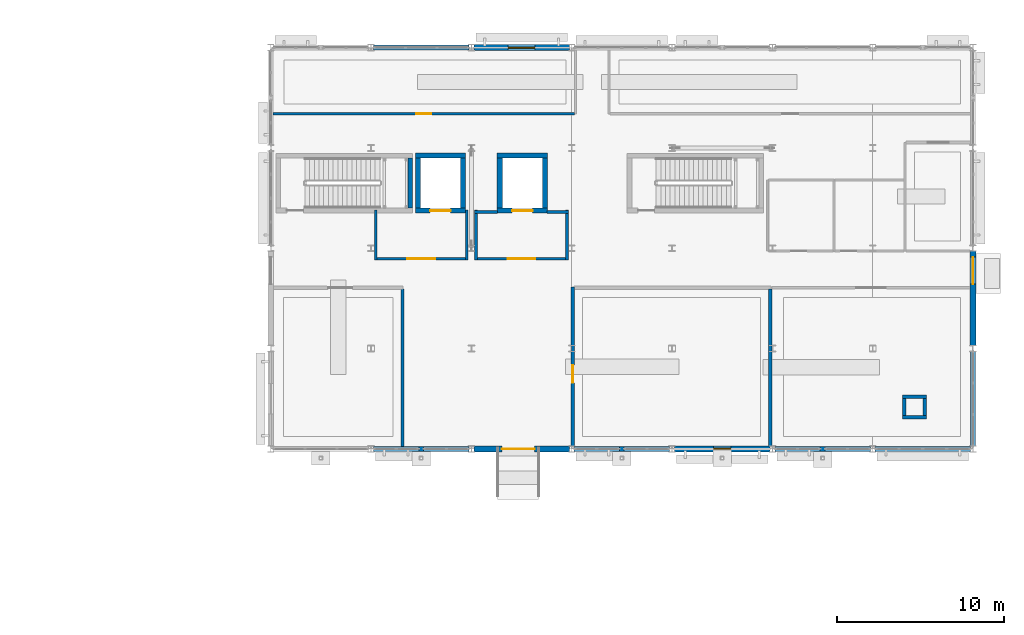
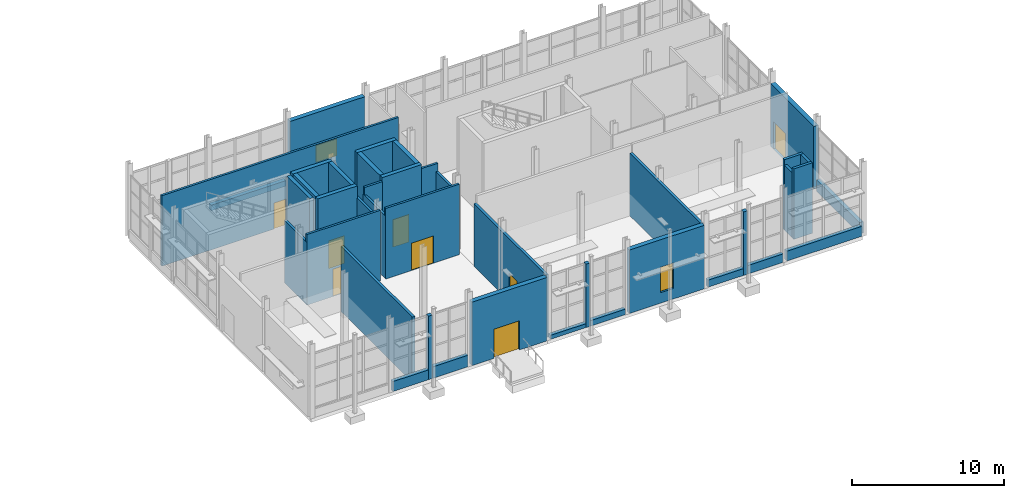
# One storey, part 103 of 120: 41 walls, 8 doors, 2 windows, 10 openings.
"""IFC4 building model written with IfcOpenShell, lengths in metres."""

import ifcopenshell
import ifcopenshell.guid

model = None  # the IFC model being written
_history = None  # IfcOwnerHistory: only IFC2X3 demands one
_inside = {}  # id of a spatial element -> (the spatial element, [elements in it])
_under = {}  # id of a project, library or spatial element -> (it, [spatial elements below it])
_declared = {}  # id of a project -> (the project, [libraries it declares])
_typed = {}  # id of a type object -> (the type object, [elements of that type])
_made_of = {}  # id of a material, layer set ... -> (it, [elements and type objects made of it])


def new_model(schema):
    """Start an empty IFC model of exactly this schema.

    Asked for "IFC4X3", IfcOpenShell would pick the latest addendum, in which some entities
    have other attributes; the version numbers below select the first issue.
    IFC2X3 requires an IfcOwnerHistory on every rooted entity: one is made here for all.
    """
    global model, _history
    if schema == "IFC4X3":
        model = ifcopenshell.file(schema_version=(4, 3, 0, 0))
    else:
        model = ifcopenshell.file(schema=schema)
    _inside.clear()
    _under.clear()
    _declared.clear()
    _typed.clear()
    _made_of.clear()
    _history = None
    if model.schema == "IFC2X3":
        org = make("IfcOrganization", Name="unknown")
        user = make(
            "IfcPersonAndOrganization",
            ThePerson=make("IfcPerson", FamilyName="unknown"),
            TheOrganization=org,
        )
        app = make(
            "IfcApplication",
            ApplicationDeveloper=org,
            Version="unknown",
            ApplicationFullName="unknown",
            ApplicationIdentifier="unknown",
        )
        _history = make(
            "IfcOwnerHistory",
            OwningUser=user,
            OwningApplication=app,
            ChangeAction="ADDED",
            CreationDate=0,
        )
    return model


def make(cls, **values):
    """One entity of the class cls with the attributes given. An attribute that is None is left unset."""
    return model.create_entity(
        cls, **{name: value for name, value in values.items() if value is not None}
    )


def rooted(cls, **values):
    """An entity with a GlobalId (a new one), such as an element, a storey or a relation."""
    return make(cls, GlobalId=ifcopenshell.guid.new(), OwnerHistory=_history, **values)


def si_unit(unit_type, name, prefix=None):
    """IfcSIUnit, for example si_unit("LENGTHUNIT", "METRE", prefix="MILLI")."""
    return make("IfcSIUnit", UnitType=unit_type, Prefix=prefix, Name=name)


def assignment(units):
    """IfcUnitAssignment: the units of a project."""
    return None if units is None else make("IfcUnitAssignment", Units=units)


def point(xyz):
    """IfcCartesianPoint."""
    return None if xyz is None else make("IfcCartesianPoint", Coordinates=xyz)


def direction(xyz):
    """IfcDirection."""
    return None if xyz is None else make("IfcDirection", DirectionRatios=xyz)


def frame(location, z_axis=None, x_axis=None):
    """IfcAxis2Placement3D, a coordinate frame: its origin and axes. An axis left out is left unset."""
    return make(
        "IfcAxis2Placement3D",
        Location=point(location),
        Axis=direction(z_axis),
        RefDirection=direction(x_axis),
    )


def frame_2d(location, x_axis=None):
    """IfcAxis2Placement2D, a coordinate frame in the plane: its origin and x axis."""
    return make(
        "IfcAxis2Placement2D", Location=point(location), RefDirection=direction(x_axis)
    )


def origin():
    """The frame at (0, 0, 0) with its axes left unset."""
    return frame((0.0, 0.0, 0.0))


def place(relative_to, where):
    """IfcLocalPlacement: puts the frame where relative to a parent placement (None: the world)."""
    return make(
        "IfcLocalPlacement", PlacementRelTo=relative_to, RelativePlacement=where
    )


def context(
    kind, dimensions, precision=None, world=None, true_north=None, identifier=None
):
    """IfcGeometricRepresentationContext, for example the 3D "Model" context."""
    return make(
        "IfcGeometricRepresentationContext",
        ContextIdentifier=identifier,
        ContextType=kind,
        CoordinateSpaceDimension=dimensions,
        Precision=precision,
        WorldCoordinateSystem=world,
        TrueNorth=true_north,
    )


def subcontext(parent, identifier, kind, view, scale=None):
    """IfcGeometricRepresentationSubContext, for example "Body" below "Model"."""
    return make(
        "IfcGeometricRepresentationSubContext",
        ContextIdentifier=identifier,
        ContextType=kind,
        ParentContext=parent,
        TargetScale=scale,
        TargetView=view,
    )


def project(units=None, contexts=None):
    """IfcProject with its units and contexts."""
    return rooted(
        "IfcProject",
        Name="project",
        RepresentationContexts=contexts,
        UnitsInContext=assignment(units),
    )


def spatial(cls, under=None, at=None, **own):
    """A site, building, storey or space (cls), placed at a placement, below another one or the project."""
    s = rooted(cls, ObjectPlacement=at, **own)
    if under is not None:
        _under.setdefault(under.id(), (under, []))[1].append(s)
    return s


def profile(cls, at=None, kind="AREA", **sizes):
    """A parametric profile (cls). Its sizes go by their IFC names, for example OverallWidth=200.0."""
    return make(cls, ProfileType=kind, Position=at, **sizes)


def rectangle(**sizes):
    """IfcRectangleProfileDef."""
    return profile("IfcRectangleProfileDef", **sizes)


def extrude(swept, where, along, depth):
    """IfcExtrudedAreaSolid: the profile swept, set in the frame where, extruded along a direction by depth."""
    return make(
        "IfcExtrudedAreaSolid",
        SweptArea=swept,
        Position=where,
        ExtrudedDirection=direction(along),
        Depth=depth,
    )


def shape(context_of_items, identifier, shape_type, items):
    """IfcShapeRepresentation: the items that make up one representation, for example the "Body"."""
    return make(
        "IfcShapeRepresentation",
        ContextOfItems=context_of_items,
        RepresentationIdentifier=identifier,
        RepresentationType=shape_type,
        Items=items,
    )


def material(Name=None, Category=None):
    """IfcMaterial."""
    return make("IfcMaterial", Name=Name, Category=Category)


def layer(
    of_material, thickness, ventilated=None, Name=None, Category=None, Priority=None
):
    """IfcMaterialLayer: one layer of a wall or slab, of a material (None: an air gap)."""
    return make(
        "IfcMaterialLayer",
        Material=of_material,
        LayerThickness=thickness,
        IsVentilated=ventilated,
        Name=Name,
        Category=Category,
        Priority=Priority,
    )


def layer_set(layers, Name=None):
    """IfcMaterialLayerSet."""
    return make("IfcMaterialLayerSet", MaterialLayers=layers, LayerSetName=Name)


def made_of(thing, what):
    """Note that an element or type object is made of a material, layer set ...; save() writes the relation."""
    if what is not None:
        _made_of.setdefault(what.id(), (what, []))[1].append(thing)
    return thing


def type_object(cls, material=None, **own):
    """A type object (cls), such as IfcWallType, which elements share."""
    return made_of(rooted(cls, **own), material)


def element(
    cls,
    number,
    at=None,
    inside=None,
    cuts=None,
    type_object=None,
    material=None,
    context=None,
    identifier="Body",
    shape_type=None,
    held_by="IfcProductDefinitionShape",
    body=None,
    shapes=None,
    **own,
):
    """One element of the class cls, such as IfcWall. Its Tag is "e" and its number.

    at: its placement. inside: the storey or other place that contains it. cuts: it is an
    opening in that element (IfcRelVoidsElement). A single representation is given by context,
    identifier, shape_type and body (its items); several are given by shapes. held_by: the class
    of the entity that holds the representations. save() writes the other relations.
    """
    e = rooted(cls, Tag="e%d" % number, ObjectPlacement=at, **own)
    if body is not None:
        shapes = [shape(context, identifier, shape_type, body)]
    if shapes is not None:
        e.Representation = make(held_by, Representations=shapes)
    if inside is not None:
        _inside.setdefault(inside.id(), (inside, []))[1].append(e)
    if cuts is not None:
        rooted(
            "IfcRelVoidsElement", RelatingBuildingElement=cuts, RelatedOpeningElement=e
        )
    if type_object is not None:
        _typed.setdefault(type_object.id(), (type_object, []))[1].append(e)
    return made_of(e, material)


def fill(opening, filler):
    """IfcRelFillsElement: the door or window that sits in an opening."""
    return rooted(
        "IfcRelFillsElement",
        RelatingOpeningElement=opening,
        RelatedBuildingElement=filler,
    )


def aggregate(whole, parts):
    """IfcRelAggregates: a whole, such as a stair, and the parts it consists of."""
    return rooted("IfcRelAggregates", RelatingObject=whole, RelatedObjects=parts)


def save(model, path):
    """Write the relations noted so far, then the file.

    IfcRelAggregates (storeys below a building ...), IfcRelContainedInSpatialStructure (elements
    in a storey), IfcRelDefinesByType, IfcRelAssociatesMaterial and IfcRelDeclares: one each for
    every whole, place, type object, material and project.
    """
    for whole, parts in _under.values():
        aggregate(whole, parts)
    for where, things in _inside.values():
        rooted(
            "IfcRelContainedInSpatialStructure",
            RelatedElements=things,
            RelatingStructure=where,
        )
    for kind, things in _typed.values():
        rooted("IfcRelDefinesByType", RelatedObjects=things, RelatingType=kind)
    for what, things in _made_of.values():
        rooted("IfcRelAssociatesMaterial", RelatedObjects=things, RelatingMaterial=what)
    for by, libraries in _declared.values():
        rooted("IfcRelDeclares", RelatingContext=by, RelatedDefinitions=libraries)
    model.write(path)


model = new_model("IFC4")

# Units and contexts
model_context = context("Model", 3, precision=1e-05, world=origin(), true_north=direction((0.0, 1.0)))
body_context = subcontext(model_context, "Body", "Model", "MODEL_VIEW")
ifc_project = project(units=[si_unit("LENGTHUNIT", "METRE"), si_unit("AREAUNIT", "SQUARE_METRE"), si_unit("VOLUMEUNIT", "CUBIC_METRE"), si_unit("PLANEANGLEUNIT", "RADIAN"), si_unit("MASSUNIT", "GRAM", prefix="KILO")], contexts=[model_context])

# Site, building, storey
site_placement = place(None, origin())
site = spatial("IfcSite", under=ifc_project, at=site_placement, CompositionType="ELEMENT")
building_placement = place(site_placement, origin())
building = spatial("IfcBuilding", under=site, at=building_placement, Name="Siltcreek Boulevard Central Fire Station", CompositionType="ELEMENT")
storey_placement = place(building_placement, origin())
storey = spatial("IfcBuildingStorey", under=building, at=storey_placement, Name="L01", CompositionType="ELEMENT", Elevation=0.0)

# Wall
ifc_material_1 = material(Name="Concrete C40/50", Category="concrete")
ifc_layer_1 = layer(ifc_material_1, 0.280029296875, Name="Concrete C40/50")
ifc_layer_set_1 = layer_set([ifc_layer_1], Name="Concrete C40/50")
wall_type_1 = type_object("IfcWallType", Name="CW_SHEAR280", PredefinedType="SHEAR", material=ifc_layer_set_1)
wall_1_placement = place(storey_placement, frame((132.5400390625, 102.60009765625, 0.0), z_axis=(0.0, 0.0, 1.0), x_axis=(0.0, 1.0, 0.0)))
element("IfcWall", 1, at=wall_1_placement, inside=storey, type_object=wall_type_1, Name="L01 ST-V5A stair enclosure east shear wall", PredefinedType="SHEAR", context=body_context, shape_type="SweptSolid", body=[
    extrude(rectangle(XDim=3.0, YDim=0.280029296875, at=frame_2d((1.5, 0.0))), origin(), (0.0, 0.0, 1.0), 6.0),
])

# Wall, opening, door
ifc_layer_2 = layer(ifc_material_1, 0.304931640625, Name="Concrete C40/50")
ifc_layer_set_2 = layer_set([ifc_layer_2], Name="Concrete C40/50")
wall_type_2 = type_object("IfcWallType", Name="CW_SHEAR305", PredefinedType="SHEAR", material=ifc_layer_set_2)
wall_2_placement = place(storey_placement, frame((132.844970703125, 102.447509765625, 0.0), z_axis=(0.0, 0.0, 1.0), x_axis=(1.0, 0.0, 0.0)))
wall_2 = element("IfcWall", 2, at=wall_2_placement, inside=storey, type_object=wall_type_2, Name="L01 EL-01 elevator shaft south shear wall", PredefinedType="SHEAR", context=body_context, shape_type="SweptSolid", body=[
    extrude(rectangle(XDim=3.010009765625, YDim=0.304931640625, at=frame_2d((1.5048828125, 0.0))), origin(), (0.0, 0.0, 1.0), 6.0),
])
opening_1_placement = place(wall_2_placement, frame((0.89501953125, 0.0, 0.0)))
opening_1 = element("IfcOpeningElement", 3, at=opening_1_placement, cuts=wall_2, Name="Opening LD02", PredefinedType="OPENING", context=body_context, shape_type="SweptSolid", body=[
    extrude(rectangle(XDim=1.219970703125, YDim=2.219970703125, at=frame_2d((0.60986328125, 1.10986328125))), frame((0.0, 0.162353515625, 0.0), z_axis=(0.0, -1.0, 0.0), x_axis=(1.0, 0.0, 0.0)), (0.0, 0.0, 1.0), 0.324951171875),
])
ifc_material_2 = material(Name="Stainless steel firefighting sliding elevator landing door", Category="steel")
door_type_1 = type_object("IfcDoorType", Name="DR_LD_122X222", OperationType="NOTDEFINED", PredefinedType="DOOR", material=ifc_material_2)
door_1_placement = place(opening_1_placement, origin())
door_1 = element("IfcDoor", 4, at=door_1_placement, inside=storey, type_object=door_type_1, Name="L01 EL-01 elevator sliding landing door LD-02", OperationType="SLIDING_TO_LEFT", OverallHeight=2.219970703125, OverallWidth=1.219970703125, PredefinedType="DOOR", context=body_context, shape_type="SweptSolid", body=[
    extrude(rectangle(XDim=1.219970703125, YDim=2.219970703125, at=frame_2d((0.60986328125, 1.10986328125))), frame((0.0, 0.02490234375, 0.0), z_axis=(0.0, -1.0, 0.0), x_axis=(1.0, 0.0, 0.0)), (0.0, 0.0, 1.0), 0.050048828125),
])
fill(opening_1, door_1)

# Walls
wall_3_placement = place(storey_placement, frame((135.85498046875, 105.75244140625, 0.0), z_axis=(0.0, 0.0, 1.0), x_axis=(-1.0, 0.0, 0.0)))
element("IfcWall", 5, at=wall_3_placement, inside=storey, type_object=wall_type_2, Name="L01 EL-01 elevator shaft north shear wall", PredefinedType="SHEAR", context=body_context, shape_type="SweptSolid", body=[
    extrude(rectangle(XDim=3.010009765625, YDim=0.304931640625, at=frame_2d((1.5048828125, 0.0))), origin(), (0.0, 0.0, 1.0), 6.0),
])
for number, where, z_axis, x_axis, name in (
    (6, (132.99755859375, 105.60009765625, 0.0), (0.0, 0.0, 1.0), (0.0, -1.0, 0.0), "L01 EL-01 elevator shaft west shear wall"),
    (7, (135.702392578125, 102.60009765625, 0.0), (0.0, 0.0, 1.0), (0.0, 1.0, 0.0), "L01 EL-01 elevator shaft east shear wall"),
):
    element("IfcWall", number, at=place(storey_placement, frame(where, z_axis=z_axis, x_axis=x_axis)), inside=storey, type_object=wall_type_2, Name=name, PredefinedType="SHEAR", context=body_context, shape_type="SweptSolid", body=[
        extrude(rectangle(XDim=3.0, YDim=0.304931640625, at=frame_2d((1.5, 0.0))), origin(), (0.0, 0.0, 1.0), 6.0),
    ])

# Wall, opening, door
wall_4_placement = place(storey_placement, frame((137.7451171875, 102.447509765625, 0.0), z_axis=(0.0, 0.0, 1.0), x_axis=(1.0, 0.0, 0.0)))
wall_4 = element("IfcWall", 8, at=wall_4_placement, inside=storey, type_object=wall_type_2, Name="L01 EL-02 elevator shaft south shear wall", PredefinedType="SHEAR", context=body_context, shape_type="SweptSolid", body=[
    extrude(rectangle(XDim=3.009765625, YDim=0.304931640625, at=frame_2d((1.5048828125, 0.0))), origin(), (0.0, 0.0, 1.0), 6.0),
])
opening_2_placement = place(wall_4_placement, frame((0.89501953125, 0.0, 0.0)))
opening_2 = element("IfcOpeningElement", 9, at=opening_2_placement, cuts=wall_4, Name="Opening LD02", PredefinedType="OPENING", context=body_context, shape_type="SweptSolid", body=[
    extrude(rectangle(XDim=1.219970703125, YDim=2.219970703125, at=frame_2d((0.60986328125, 1.10986328125))), frame((0.0, 0.162353515625, 0.0), z_axis=(0.0, -1.0, 0.0), x_axis=(1.0, 0.0, 0.0)), (0.0, 0.0, 1.0), 0.324951171875),
])
door_2_placement = place(opening_2_placement, origin())
door_2 = element("IfcDoor", 10, at=door_2_placement, inside=storey, type_object=door_type_1, Name="L01 EL-02 elevator sliding landing door LD-08", OperationType="SLIDING_TO_LEFT", OverallHeight=2.219970703125, OverallWidth=1.219970703125, PredefinedType="DOOR", context=body_context, shape_type="SweptSolid", body=[
    extrude(rectangle(XDim=1.219970703125, YDim=2.219970703125, at=frame_2d((0.60986328125, 1.10986328125))), frame((0.0, 0.02490234375, 0.0), z_axis=(0.0, -1.0, 0.0), x_axis=(1.0, 0.0, 0.0)), (0.0, 0.0, 1.0), 0.050048828125),
])
fill(opening_2, door_2)

# Walls
wall_5_placement = place(storey_placement, frame((140.7548828125, 105.75244140625, 0.0), z_axis=(0.0, 0.0, 1.0), x_axis=(-1.0, 0.0, 0.0)))
element("IfcWall", 11, at=wall_5_placement, inside=storey, type_object=wall_type_2, Name="L01 EL-02 elevator shaft north shear wall", PredefinedType="SHEAR", context=body_context, shape_type="SweptSolid", body=[
    extrude(rectangle(XDim=3.009765625, YDim=0.304931640625, at=frame_2d((1.5048828125, 0.0))), origin(), (0.0, 0.0, 1.0), 6.0),
])
for number, where, z_axis, x_axis, name in (
    (12, (137.8974609375, 105.60009765625, 0.0), (0.0, 0.0, 1.0), (0.0, -1.0, 0.0), "L01 EL-02 elevator shaft west shear wall"),
    (13, (140.6025390625, 102.60009765625, 0.0), (0.0, 0.0, 1.0), (0.0, 1.0, 0.0), "L01 EL-02 elevator shaft east shear wall"),
):
    element("IfcWall", number, at=place(storey_placement, frame(where, z_axis=z_axis, x_axis=x_axis)), inside=storey, type_object=wall_type_2, Name=name, PredefinedType="SHEAR", context=body_context, shape_type="SweptSolid", body=[
        extrude(rectangle(XDim=3.0, YDim=0.304931640625, at=frame_2d((1.5, 0.0))), origin(), (0.0, 0.0, 1.0), 6.0),
    ])

# Wall, opening, door
ifc_material_3 = material(Name="Terracotta brick rainscreen on steel stud", Category="masonry")
ifc_layer_3 = layer(ifc_material_3, 0.35009765625, Name="Terracotta brick rainscreen on steel stud")
ifc_layer_set_3 = layer_set([ifc_layer_3], Name="Terracotta brick rainscreen on steel stud")
wall_type_3 = type_object("IfcWallType", Name="EW_BRICK350", PredefinedType="STANDARD", material=ifc_layer_set_3)
wall_6_placement = place(storey_placement, frame((136.344970703125, 88.199951171875, 0.0), z_axis=(0.0, 0.0, 1.0), x_axis=(1.0, 0.0, 0.0)))
wall_6 = element("IfcWall", 14, at=wall_6_placement, inside=storey, type_object=wall_type_3, Name="L01 V5 exterior insulated rainscreen wall WL-EXT-L01-0297", PredefinedType="STANDARD", context=body_context, shape_type="SweptSolid", body=[
    extrude(rectangle(XDim=5.7099609375, YDim=0.35009765625, at=frame_2d((2.85498046875, 0.0))), origin(), (0.0, 0.0, 1.0), 5.113037109375),
])
opening_3_placement = place(wall_6_placement, frame((1.679931640625, 0.0, 0.0)))
opening_3 = element("IfcOpeningElement", 15, at=opening_3_placement, cuts=wall_6, Name="Opening ED-126", PredefinedType="OPENING", context=body_context, shape_type="SweptSolid", body=[
    extrude(rectangle(XDim=1.949951171875, YDim=2.35009765625, at=frame_2d((0.97509765625, 1.175048828125))), frame((0.0, 0.18505859375, 0.0), z_axis=(0.0, -1.0, 0.0), x_axis=(1.0, 0.0, 0.0)), (0.0, 0.0, 1.0), 0.3701171875),
])
ifc_material_4 = material(Name="Hollow metal insulated exit discharge pair")
door_type_2 = type_object("IfcDoorType", Name="DR_EXT_195X235", OperationType="NOTDEFINED", PredefinedType="DOOR", material=ifc_material_4)
door_3_placement = place(opening_3_placement, frame((1.949951171875, 0.0, 0.0), z_axis=(0.0, 0.0, 1.0), x_axis=(-1.0, 0.0, 0.0)))
door_3 = element("IfcDoor", 16, at=door_3_placement, inside=storey, type_object=door_type_2, Name="Ground level pedestrian final exit door ED-126", OperationType="DOUBLE_DOOR_SINGLE_SWING", OverallHeight=2.35009765625, OverallWidth=1.949951171875, PredefinedType="DOOR", context=body_context, shape_type="SweptSolid", body=[
    extrude(rectangle(XDim=1.949951171875, YDim=2.35009765625, at=frame_2d((0.97509765625, 1.175048828125))), frame((0.0, 0.02490234375, 0.0), z_axis=(0.0, -1.0, 0.0), x_axis=(1.0, 0.0, 0.0)), (0.0, 0.0, 1.0), 0.050048828125),
])
fill(opening_3, door_3)

# Wall, opening, window
wall_7_placement = place(storey_placement, frame((148.344970703125, 88.199951171875, 0.0), z_axis=(0.0, 0.0, 1.0), x_axis=(1.0, 0.0, 0.0)))
wall_7 = element("IfcWall", 17, at=wall_7_placement, inside=storey, type_object=wall_type_3, Name="L01 V5 exterior insulated rainscreen wall WL-EXT-L01-0301", PredefinedType="STANDARD", context=body_context, shape_type="SweptSolid", body=[
    extrude(rectangle(XDim=5.7099609375, YDim=0.35009765625, at=frame_2d((2.85498046875, 0.0))), origin(), (0.0, 0.0, 1.0), 5.113037109375),
])
opening_4_placement = place(wall_7_placement, frame((2.344970703125, 0.0, 0.85009765625)))
opening_4 = element("IfcOpeningElement", 18, at=opening_4_placement, cuts=wall_7, Name="Opening WN36", PredefinedType="OPENING", context=body_context, shape_type="SweptSolid", body=[
    extrude(rectangle(XDim=1.02001953125, YDim=2.050048828125, at=frame_2d((0.510009765625, 1.02490234375))), frame((0.0, 0.18505859375, 0.0), z_axis=(0.0, -1.0, 0.0), x_axis=(1.0, 0.0, 0.0)), (0.0, 0.0, 1.0), 0.3701171875),
])
ifc_material_5 = material(Name="Thermally broken aluminum frame with low-E insulated glass", Category="aluminium")
window_type_1 = type_object("IfcWindowType", Name="WN_VT_102X205", PartitioningType="SINGLE_PANEL", PredefinedType="WINDOW", material=ifc_material_5)
window_1_placement = place(opening_4_placement, origin())
window_1 = element("IfcWindow", 19, at=window_1_placement, inside=storey, type_object=window_type_1, Name="L01 V5 exterior window WN-0147", OverallHeight=2.050048828125, OverallWidth=1.02001953125, PartitioningType="SINGLE_PANEL", PredefinedType="WINDOW", context=body_context, shape_type="SweptSolid", body=[
    extrude(rectangle(XDim=1.02001953125, YDim=2.050048828125, at=frame_2d((0.510009765625, 1.02490234375))), frame((0.0, 0.030029296875, 0.0), z_axis=(0.0, -1.0, 0.0), x_axis=(1.0, 0.0, 0.0)), (0.0, 0.0, 1.0), 0.06005859375),
])
fill(opening_4, window_1)

wall_8_placement = place(storey_placement, frame((142.054931640625, 112.199951171875, 0.0), z_axis=(0.0, 0.0, 1.0), x_axis=(-1.0, 0.0, 0.0)))
wall_8 = element("IfcWall", 20, at=wall_8_placement, inside=storey, type_object=wall_type_3, Name="L01 V5 exterior insulated rainscreen wall WL-EXT-L01-0310", PredefinedType="STANDARD", context=body_context, shape_type="SweptSolid", body=[
    extrude(rectangle(XDim=5.7099609375, YDim=0.35009765625, at=frame_2d((2.85498046875, 0.0))), origin(), (0.0, 0.0, 1.0), 5.113037109375),
])
opening_5_placement = place(wall_8_placement, frame((2.054931640625, 0.0, 1.0)))
opening_5 = element("IfcOpeningElement", 21, at=opening_5_placement, cuts=wall_8, Name="Opening WN07", PredefinedType="OPENING", context=body_context, shape_type="SweptSolid", body=[
    extrude(rectangle(XDim=1.60009765625, YDim=1.360107421875, at=frame_2d((0.800048828125, 0.68017578125))), frame((0.0, 0.18505859375, 0.0), z_axis=(0.0, -1.0, 0.0), x_axis=(1.0, 0.0, 0.0)), (0.0, 0.0, 1.0), 0.3701171875),
])
window_type_2 = type_object("IfcWindowType", Name="WN_PB_160X136", PartitioningType="SINGLE_PANEL", PredefinedType="WINDOW", material=ifc_material_5)
window_2_placement = place(opening_5_placement, origin())
window_2 = element("IfcWindow", 22, at=window_2_placement, inside=storey, type_object=window_type_2, Name="L01 V5 exterior window WN-0148", OverallHeight=1.360107421875, OverallWidth=1.60009765625, PartitioningType="SINGLE_PANEL", PredefinedType="WINDOW", context=body_context, shape_type="SweptSolid", body=[
    extrude(rectangle(XDim=1.60009765625, YDim=1.360107421875, at=frame_2d((0.800048828125, 0.68017578125))), frame((0.0, 0.030029296875, 0.0), z_axis=(0.0, -1.0, 0.0), x_axis=(1.0, 0.0, 0.0)), (0.0, 0.0, 1.0), 0.06005859375),
])
fill(opening_5, window_2)

# Wall, opening, door
wall_9_placement = place(storey_placement, frame((166.199951171875, 94.344970703125, 0.0), z_axis=(0.0, 0.0, 1.0), x_axis=(0.0, 1.0, 0.0)))
wall_9 = element("IfcWall", 23, at=wall_9_placement, inside=storey, type_object=wall_type_3, Name="L01 V5 exterior insulated rainscreen wall WL-EXT-L01-0326", PredefinedType="STANDARD", context=body_context, shape_type="SweptSolid", body=[
    extrude(rectangle(XDim=5.7099609375, YDim=0.35009765625, at=frame_2d((2.85498046875, 0.0))), origin(), (0.0, 0.0, 1.0), 5.0439453125),
])
opening_6_placement = place(wall_9_placement, frame((3.703857421875, 0.0, 0.0)))
opening_6 = element("IfcOpeningElement", 24, at=opening_6_placement, cuts=wall_9, Name="Opening ED-128", PredefinedType="OPENING", context=body_context, shape_type="SweptSolid", body=[
    extrude(rectangle(XDim=1.6201171875, YDim=2.199951171875, at=frame_2d((0.81005859375, 1.10009765625))), frame((0.0, 0.18505859375, 0.0), z_axis=(0.0, -1.0, 0.0), x_axis=(1.0, 0.0, 0.0)), (0.0, 0.0, 1.0), 0.3701171875),
])
ifc_material_6 = material(Name="Thermally broken glazed terrace pair")
door_type_3 = type_object("IfcDoorType", Name="DR_TER_162X220", OperationType="NOTDEFINED", PredefinedType="DOOR", material=ifc_material_6)
door_4_placement = place(opening_6_placement, frame((1.6201171875, 0.0, 0.0), z_axis=(0.0, 0.0, 1.0), x_axis=(-1.0, 0.0, 0.0)))
door_4 = element("IfcDoor", 25, at=door_4_placement, inside=storey, type_object=door_type_3, Name="Ground level pedestrian final exit door ED-128", OperationType="SINGLE_SWING_LEFT", OverallHeight=2.199951171875, OverallWidth=1.6201171875, PredefinedType="DOOR", context=body_context, shape_type="SweptSolid", body=[
    extrude(rectangle(XDim=1.6201171875, YDim=2.199951171875, at=frame_2d((0.81005859375, 1.10009765625))), frame((0.0, 0.02490234375, 0.0), z_axis=(0.0, -1.0, 0.0), x_axis=(1.0, 0.0, 0.0)), (0.0, 0.0, 1.0), 0.050048828125),
])
fill(opening_6, door_4)

# Walls
ifc_material_7 = material(Name="White ribbed aluminum spandrel wall", Category="aluminium")
ifc_layer_4 = layer(ifc_material_7, 0.2900390625, Name="White ribbed aluminum spandrel wall")
ifc_layer_set_4 = layer_set([ifc_layer_4], Name="White ribbed aluminum spandrel wall")
wall_type_4 = type_object("IfcWallType", Name="EW_METAL290", PredefinedType="STANDARD", material=ifc_layer_set_4)
wall_10_placement = place(storey_placement, frame((133.06005859375, 88.199951171875, 0.0), z_axis=(0.0, 0.0, 1.0), x_axis=(1.0, 0.0, 0.0)))
element("IfcWall", 26, at=wall_10_placement, inside=storey, type_object=wall_type_4, Name="L01 V5 facade pier 0294", PredefinedType="STANDARD", context=body_context, shape_type="SweptSolid", body=[
    extrude(rectangle(XDim=0.280029296875, YDim=0.2900390625, at=frame_2d((0.14013671875, 0.0))), origin(), (0.0, 0.0, 1.0), 5.113037109375),
])
wall_11_placement = place(storey_placement, frame((130.344970703125, 88.199951171875, 0.0), z_axis=(0.0, 0.0, 1.0), x_axis=(1.0, 0.0, 0.0)))
element("IfcWall", 27, at=wall_11_placement, inside=storey, type_object=wall_type_4, Name="L01 V5 curtain-wall sill spandrel 0295", PredefinedType="STANDARD", context=body_context, shape_type="SweptSolid", body=[
    extrude(rectangle(XDim=2.715087890625, YDim=0.2900390625, at=frame_2d((1.357421875, 0.0))), origin(), (0.0, 0.0, 1.0), 0.800048828125),
])
wall_12_placement = place(storey_placement, frame((133.340087890625, 88.199951171875, 0.0), z_axis=(0.0, 0.0, 1.0), x_axis=(1.0, 0.0, 0.0)))
element("IfcWall", 28, at=wall_12_placement, inside=storey, type_object=wall_type_4, Name="L01 V5 curtain-wall sill spandrel 0296", PredefinedType="STANDARD", context=body_context, shape_type="SweptSolid", body=[
    extrude(rectangle(XDim=2.71484375, YDim=0.2900390625, at=frame_2d((1.357421875, 0.0))), origin(), (0.0, 0.0, 1.0), 0.919921875),
])
wall_13_placement = place(storey_placement, frame((145.06005859375, 88.199951171875, 0.0), z_axis=(0.0, 0.0, 1.0), x_axis=(1.0, 0.0, 0.0)))
element("IfcWall", 29, at=wall_13_placement, inside=storey, type_object=wall_type_4, Name="L01 V5 facade pier 0298", PredefinedType="STANDARD", context=body_context, shape_type="SweptSolid", body=[
    extrude(rectangle(XDim=0.280029296875, YDim=0.2900390625, at=frame_2d((0.14013671875, 0.0))), origin(), (0.0, 0.0, 1.0), 5.113037109375),
])
wall_14_placement = place(storey_placement, frame((142.344970703125, 88.199951171875, 0.0), z_axis=(0.0, 0.0, 1.0), x_axis=(1.0, 0.0, 0.0)))
element("IfcWall", 30, at=wall_14_placement, inside=storey, type_object=wall_type_4, Name="L01 V5 curtain-wall sill spandrel 0299", PredefinedType="STANDARD", context=body_context, shape_type="SweptSolid", body=[
    extrude(rectangle(XDim=2.715087890625, YDim=0.2900390625, at=frame_2d((1.357421875, 0.0))), origin(), (0.0, 0.0, 1.0), 0.320068359375),
])
wall_15_placement = place(storey_placement, frame((145.340087890625, 88.199951171875, 0.0), z_axis=(0.0, 0.0, 1.0), x_axis=(1.0, 0.0, 0.0)))
element("IfcWall", 31, at=wall_15_placement, inside=storey, type_object=wall_type_4, Name="L01 V5 curtain-wall sill spandrel 0300", PredefinedType="STANDARD", context=body_context, shape_type="SweptSolid", body=[
    extrude(rectangle(XDim=2.71484375, YDim=0.2900390625, at=frame_2d((1.357421875, 0.0))), origin(), (0.0, 0.0, 1.0), 0.43994140625),
])
wall_16_placement = place(storey_placement, frame((157.06005859375, 88.199951171875, 0.0), z_axis=(0.0, 0.0, 1.0), x_axis=(1.0, 0.0, 0.0)))
element("IfcWall", 32, at=wall_16_placement, inside=storey, type_object=wall_type_4, Name="L01 V5 facade pier 0302", PredefinedType="STANDARD", context=body_context, shape_type="SweptSolid", body=[
    extrude(rectangle(XDim=0.280029296875, YDim=0.2900390625, at=frame_2d((0.14013671875, 0.0))), origin(), (0.0, 0.0, 1.0), 5.113037109375),
])
wall_17_placement = place(storey_placement, frame((154.344970703125, 88.199951171875, 0.0), z_axis=(0.0, 0.0, 1.0), x_axis=(1.0, 0.0, 0.0)))
element("IfcWall", 33, at=wall_17_placement, inside=storey, type_object=wall_type_4, Name="L01 V5 curtain-wall sill spandrel 0303", PredefinedType="STANDARD", context=body_context, shape_type="SweptSolid", body=[
    extrude(rectangle(XDim=2.715087890625, YDim=0.2900390625, at=frame_2d((1.357421875, 0.0))), origin(), (0.0, 0.0, 1.0), 0.56005859375),
])
wall_18_placement = place(storey_placement, frame((157.340087890625, 88.199951171875, 0.0), z_axis=(0.0, 0.0, 1.0), x_axis=(1.0, 0.0, 0.0)))
element("IfcWall", 34, at=wall_18_placement, inside=storey, type_object=wall_type_4, Name="L01 V5 curtain-wall sill spandrel 0304", PredefinedType="STANDARD", context=body_context, shape_type="SweptSolid", body=[
    extrude(rectangle(XDim=2.71484375, YDim=0.2900390625, at=frame_2d((1.357421875, 0.0))), origin(), (0.0, 0.0, 1.0), 0.679931640625),
])
wall_19_placement = place(storey_placement, frame((160.344970703125, 88.199951171875, 0.0), z_axis=(0.0, 0.0, 1.0), x_axis=(1.0, 0.0, 0.0)))
element("IfcWall", 35, at=wall_19_placement, inside=storey, type_object=wall_type_4, Name="L01 V5 curtain-wall sill spandrel 0305", PredefinedType="STANDARD", context=body_context, shape_type="SweptSolid", body=[
    extrude(rectangle(XDim=5.7099609375, YDim=0.2900390625, at=frame_2d((2.85498046875, 0.0))), origin(), (0.0, 0.0, 1.0), 0.800048828125),
])
wall_20_placement = place(storey_placement, frame((136.054931640625, 112.199951171875, 0.0), z_axis=(0.0, 0.0, 1.0), x_axis=(-1.0, 0.0, 0.0)))
element("IfcWall", 36, at=wall_20_placement, inside=storey, type_object=wall_type_4, Name="L01 V5 curtain-wall sill spandrel 0309", PredefinedType="STANDARD", context=body_context, shape_type="SweptSolid", body=[
    extrude(rectangle(XDim=5.7099609375, YDim=0.2900390625, at=frame_2d((2.85498046875, 0.0))), origin(), (0.0, 0.0, 1.0), 0.43994140625),
])
wall_21_placement = place(storey_placement, frame((166.199951171875, 88.344970703125, 0.0), z_axis=(0.0, 0.0, 1.0), x_axis=(0.0, 1.0, 0.0)))
element("IfcWall", 37, at=wall_21_placement, inside=storey, type_object=wall_type_4, Name="L01 V5 curtain-wall sill spandrel 0325", PredefinedType="STANDARD", context=body_context, shape_type="SweptSolid", body=[
    extrude(rectangle(XDim=5.7099609375, YDim=0.2900390625, at=frame_2d((2.85498046875, 0.0))), origin(), (0.0, 0.0, 1.0), 0.919921875),
])
ifc_material_8 = material(Name="Fire-rated concrete masonry and gypsum barrier", Category="masonry")
ifc_layer_5 = layer(ifc_material_8, 0.199951171875, Name="Fire-rated concrete masonry and gypsum barrier")
ifc_layer_set_5 = layer_set([ifc_layer_5], Name="Fire-rated concrete masonry and gypsum barrier")
wall_type_5 = type_object("IfcWallType", Name="IW_FIRE200", PredefinedType="PARTITIONING", material=ifc_layer_set_5)
wall_22_placement = place(storey_placement, frame((161.985107421875, 90.0849609375, 0.0), z_axis=(0.0, 0.0, 1.0), x_axis=(1.0, 0.0, 0.0)))
element("IfcWall", 38, at=wall_22_placement, inside=storey, type_object=wall_type_5, Name="L01 enclosed MEP service riser wall 017-S", PredefinedType="PARTITIONING", context=body_context, shape_type="SweptSolid", body=[
    extrude(rectangle(XDim=1.429931640625, YDim=0.199951171875, at=frame_2d((0.71484375, 0.0))), origin(), (0.0, 0.0, 1.0), 5.679931640625),
])
wall_23_placement = place(storey_placement, frame((163.31494140625, 90.18505859375, 0.0), z_axis=(0.0, 0.0, 1.0), x_axis=(0.0, 1.0, 0.0)))
element("IfcWall", 39, at=wall_23_placement, inside=storey, type_object=wall_type_5, Name="L01 enclosed MEP service riser wall 017-E", PredefinedType="PARTITIONING", context=body_context, shape_type="SweptSolid", body=[
    extrude(rectangle(XDim=1.030029296875, YDim=0.199951171875, at=frame_2d((0.51513671875, 0.0))), origin(), (0.0, 0.0, 1.0), 5.679931640625),
])
wall_24_placement = place(storey_placement, frame((163.4150390625, 91.31494140625, 0.0), z_axis=(0.0, 0.0, 1.0), x_axis=(-1.0, 0.0, 0.0)))
element("IfcWall", 40, at=wall_24_placement, inside=storey, type_object=wall_type_5, Name="L01 enclosed MEP service riser wall 017-N", PredefinedType="PARTITIONING", context=body_context, shape_type="SweptSolid", body=[
    extrude(rectangle(XDim=1.429931640625, YDim=0.199951171875, at=frame_2d((0.71484375, 0.0))), origin(), (0.0, 0.0, 1.0), 5.679931640625),
])
wall_25_placement = place(storey_placement, frame((162.0849609375, 91.215087890625, 0.0), z_axis=(0.0, 0.0, 1.0), x_axis=(0.0, -1.0, 0.0)))
element("IfcWall", 41, at=wall_25_placement, inside=storey, type_object=wall_type_5, Name="L01 enclosed MEP service riser wall 017-W", PredefinedType="PARTITIONING", context=body_context, shape_type="SweptSolid", body=[
    extrude(rectangle(XDim=1.030029296875, YDim=0.199951171875, at=frame_2d((0.51513671875, 0.0))), origin(), (0.0, 0.0, 1.0), 5.2490234375),
])
wall_26_placement = place(storey_placement, frame((132.080078125, 97.760009765625, 0.0), z_axis=(0.0, 0.0, 1.0), x_axis=(0.0, -1.0, 0.0)))
element("IfcWall", 42, at=wall_26_placement, inside=storey, type_object=wall_type_5, Name="L01 Fire Command Centre partition 0075", PredefinedType="PARTITIONING", context=body_context, shape_type="SweptSolid", body=[
    extrude(rectangle(XDim=9.4150390625, YDim=0.199951171875, at=frame_2d((4.70751953125, 0.0))), origin(), (0.0, 0.0, 1.0), 5.2490234375),
])

# Wall, opening, door
wall_27_placement = place(storey_placement, frame((142.27001953125, 88.375, 0.0), z_axis=(0.0, 0.0, 1.0), x_axis=(0.0, 1.0, 0.0)))
wall_27 = element("IfcWall", 43, at=wall_27_placement, inside=storey, type_object=wall_type_5, Name="L01 Fire Prevention Bureau Office partition 0076", PredefinedType="PARTITIONING", context=body_context, shape_type="SweptSolid", body=[
    extrude(rectangle(XDim=9.5048828125, YDim=0.199951171875, at=frame_2d((4.75244140625, 0.0))), origin(), (0.0, 0.0, 1.0), 5.0439453125),
])
opening_7_placement = place(wall_27_placement, frame((3.77099609375, 0.0, 0.0)))
opening_7 = element("IfcOpeningElement", 44, at=opening_7_placement, cuts=wall_27, Name="Opening ID12", PredefinedType="OPENING", context=body_context, shape_type="SweptSolid", body=[
    extrude(rectangle(XDim=1.06005859375, YDim=2.25, at=frame_2d((0.530029296875, 1.125))), frame((0.0, 0.10986328125, 0.0), z_axis=(0.0, -1.0, 0.0), x_axis=(1.0, 0.0, 0.0)), (0.0, 0.0, 1.0), 0.219970703125),
])
ifc_material_9 = material(Name="Hardened steel radio vault security door", Category="steel")
door_type_4 = type_object("IfcDoorType", Name="DR_VLT_106X225", OperationType="NOTDEFINED", PredefinedType="DOOR", material=ifc_material_9)
door_5_placement = place(opening_7_placement, frame((1.06005859375, 0.0, 0.0), z_axis=(0.0, 0.0, 1.0), x_axis=(-1.0, 0.0, 0.0)))
door_5 = element("IfcDoor", 45, at=door_5_placement, inside=storey, type_object=door_type_4, Name="L01 Fire Prevention Bureau Office door ID-0035", OperationType="SINGLE_SWING_RIGHT", OverallHeight=2.25, OverallWidth=1.06005859375, PredefinedType="DOOR", context=body_context, shape_type="SweptSolid", body=[
    extrude(rectangle(XDim=1.06005859375, YDim=2.25, at=frame_2d((0.530029296875, 1.125))), frame((0.0, 0.02490234375, 0.0), z_axis=(0.0, -1.0, 0.0), x_axis=(1.0, 0.0, 0.0)), (0.0, 0.0, 1.0), 0.050048828125),
])
fill(opening_7, door_5)

# Walls
wall_28_placement = place(storey_placement, frame((154.080078125, 97.760009765625, 0.0), z_axis=(0.0, 0.0, 1.0), x_axis=(0.0, -1.0, 0.0)))
element("IfcWall", 46, at=wall_28_placement, inside=storey, type_object=wall_type_5, Name="L01 Fire Prevention Bureau Office partition 0078", PredefinedType="PARTITIONING", context=body_context, shape_type="SweptSolid", body=[
    extrude(rectangle(XDim=9.385009765625, YDim=0.199951171875, at=frame_2d((4.6923828125, 0.0))), origin(), (0.0, 0.0, 1.0), 5.0439453125),
])
ifc_material_10 = material(Name="Acoustic smoke-barrier steel stud gypsum wall", Category="steel")
ifc_layer_6 = layer(ifc_material_10, 0.1650390625, Name="Acoustic smoke-barrier steel stud gypsum wall")
ifc_layer_set_6 = layer_set([ifc_layer_6], Name="Acoustic smoke-barrier steel stud gypsum wall")
wall_type_6 = type_object("IfcWallType", Name="IW_SMK165", PredefinedType="PARTITIONING", material=ifc_layer_set_6)
for number, where, z_axis, x_axis, name in (
    (47, (130.47998046875, 99.5, 0.0), (0.0, 0.0, 1.0), (0.0, 1.0, 0.0), "L01 EL-01 elevator lobby W smoke partition"),
    (48, (135.919921875, 102.487548828125, 0.0), (0.0, 0.0, 1.0), (0.0, -1.0, 0.0), "L01 EL-01 elevator lobby E smoke partition"),
):
    element("IfcWall", number, at=place(storey_placement, frame(where, z_axis=z_axis, x_axis=x_axis)), inside=storey, type_object=wall_type_6, Name=name, PredefinedType="PARTITIONING", context=body_context, shape_type="SweptSolid", body=[
        extrude(rectangle(XDim=2.987548828125, YDim=0.1650390625, at=frame_2d((1.49365234375, 0.0))), origin(), (0.0, 0.0, 1.0), 5.0439453125),
    ])

# Wall, opening, door
wall_29_placement = place(storey_placement, frame((130.39990234375, 99.580078125, 0.0), z_axis=(0.0, 0.0, 1.0), x_axis=(1.0, 0.0, 0.0)))
wall_29 = element("IfcWall", 49, at=wall_29_placement, inside=storey, type_object=wall_type_6, Name="L01 EL-01 elevator lobby south smoke partition", PredefinedType="PARTITIONING", context=body_context, shape_type="SweptSolid", body=[
    extrude(rectangle(XDim=5.60009765625, YDim=0.1650390625, at=frame_2d((2.800048828125, 0.0))), origin(), (0.0, 0.0, 1.0), 5.679931640625),
])
opening_8_placement = place(wall_29_placement, frame((1.969970703125, 0.0, 0.0)))
opening_8 = element("IfcOpeningElement", 50, at=opening_8_placement, cuts=wall_29, Name="Opening FD02", PredefinedType="OPENING", context=body_context, shape_type="SweptSolid", body=[
    extrude(rectangle(XDim=1.659912109375, YDim=2.199951171875, at=frame_2d((0.830078125, 1.10009765625))), frame((0.0, 0.092529296875, 0.0), z_axis=(0.0, -1.0, 0.0), x_axis=(1.0, 0.0, 0.0)), (0.0, 0.0, 1.0), 0.18505859375),
])
ifc_material_11 = material(Name="Hollow metal smoke-barrier elevator lobby pair")
door_type_5 = type_object("IfcDoorType", Name="DR_LOB_166X220", OperationType="NOTDEFINED", PredefinedType="DOOR", material=ifc_material_11)
door_6_placement = place(opening_8_placement, frame((1.659912109375, 0.0, 0.0), z_axis=(0.0, 0.0, 1.0), x_axis=(-1.0, 0.0, 0.0)))
door_6 = element("IfcDoor", 51, at=door_6_placement, inside=storey, type_object=door_type_5, Name="L01 EL-01 elevator lobby smoke door", OperationType="DOUBLE_DOOR_SINGLE_SWING", OverallHeight=2.199951171875, OverallWidth=1.659912109375, PredefinedType="DOOR", context=body_context, shape_type="SweptSolid", body=[
    extrude(rectangle(XDim=1.659912109375, YDim=2.199951171875, at=frame_2d((0.830078125, 1.10009765625))), frame((0.0, 0.02490234375, 0.0), z_axis=(0.0, -1.0, 0.0), x_axis=(1.0, 0.0, 0.0)), (0.0, 0.0, 1.0), 0.050048828125),
])
fill(opening_8, door_6)

# Walls
for number, where, z_axis, x_axis, name in (
    (52, (136.47998046875, 99.5, 0.0), (0.0, 0.0, 1.0), (0.0, 1.0, 0.0), "L01 EL-02 elevator lobby W smoke partition"),
    (53, (141.919921875, 102.487548828125, 0.0), (0.0, 0.0, 1.0), (0.0, -1.0, 0.0), "L01 EL-02 elevator lobby E smoke partition"),
):
    element("IfcWall", number, at=place(storey_placement, frame(where, z_axis=z_axis, x_axis=x_axis)), inside=storey, type_object=wall_type_6, Name=name, PredefinedType="PARTITIONING", context=body_context, shape_type="SweptSolid", body=[
        extrude(rectangle(XDim=2.987548828125, YDim=0.1650390625, at=frame_2d((1.49365234375, 0.0))), origin(), (0.0, 0.0, 1.0), 5.0439453125),
    ])
wall_30_placement = place(storey_placement, frame((136.39990234375, 102.375, 0.0), z_axis=(0.0, 0.0, 1.0), x_axis=(1.0, 0.0, 0.0)))
element("IfcWall", 54, at=wall_30_placement, inside=storey, type_object=wall_type_6, Name="L01 EL-02 elevator lobby NW smoke partition", PredefinedType="PARTITIONING", context=body_context, shape_type="SweptSolid", body=[
    extrude(rectangle(XDim=1.364990234375, YDim=0.1650390625, at=frame_2d((0.6826171875, 0.0))), origin(), (0.0, 0.0, 1.0), 5.679931640625),
])
wall_31_placement = place(storey_placement, frame((140.735107421875, 102.375, 0.0), z_axis=(0.0, 0.0, 1.0), x_axis=(1.0, 0.0, 0.0)))
element("IfcWall", 55, at=wall_31_placement, inside=storey, type_object=wall_type_6, Name="L01 EL-02 elevator lobby NE smoke partition", PredefinedType="PARTITIONING", context=body_context, shape_type="SweptSolid", body=[
    extrude(rectangle(XDim=1.264892578125, YDim=0.1650390625, at=frame_2d((0.63232421875, 0.0))), origin(), (0.0, 0.0, 1.0), 5.679931640625),
])

# Wall, opening, door
wall_32_placement = place(storey_placement, frame((136.39990234375, 99.580078125, 0.0), z_axis=(0.0, 0.0, 1.0), x_axis=(1.0, 0.0, 0.0)))
wall_32 = element("IfcWall", 56, at=wall_32_placement, inside=storey, type_object=wall_type_6, Name="L01 EL-02 elevator lobby south smoke partition", PredefinedType="PARTITIONING", context=body_context, shape_type="SweptSolid", body=[
    extrude(rectangle(XDim=5.60009765625, YDim=0.1650390625, at=frame_2d((2.800048828125, 0.0))), origin(), (0.0, 0.0, 1.0), 5.679931640625),
])
opening_9_placement = place(wall_32_placement, frame((1.969970703125, 0.0, 0.0)))
opening_9 = element("IfcOpeningElement", 57, at=opening_9_placement, cuts=wall_32, Name="Opening FD02", PredefinedType="OPENING", context=body_context, shape_type="SweptSolid", body=[
    extrude(rectangle(XDim=1.659912109375, YDim=2.199951171875, at=frame_2d((0.830078125, 1.10009765625))), frame((0.0, 0.092529296875, 0.0), z_axis=(0.0, -1.0, 0.0), x_axis=(1.0, 0.0, 0.0)), (0.0, 0.0, 1.0), 0.18505859375),
])
door_7_placement = place(opening_9_placement, frame((1.659912109375, 0.0, 0.0), z_axis=(0.0, 0.0, 1.0), x_axis=(-1.0, 0.0, 0.0)))
door_7 = element("IfcDoor", 58, at=door_7_placement, inside=storey, type_object=door_type_5, Name="L01 EL-02 elevator lobby smoke door", OperationType="DOUBLE_DOOR_SINGLE_SWING", OverallHeight=2.199951171875, OverallWidth=1.659912109375, PredefinedType="DOOR", context=body_context, shape_type="SweptSolid", body=[
    extrude(rectangle(XDim=1.659912109375, YDim=2.199951171875, at=frame_2d((0.830078125, 1.10009765625))), frame((0.0, 0.02490234375, 0.0), z_axis=(0.0, -1.0, 0.0), x_axis=(1.0, 0.0, 0.0)), (0.0, 0.0, 1.0), 0.050048828125),
])
fill(opening_9, door_7)

wall_33_placement = place(storey_placement, frame((142.367431640625, 108.239990234375, 0.0), z_axis=(0.0, 0.0, 1.0), x_axis=(-1.0, 0.0, 0.0)))
wall_33 = element("IfcWall", 59, at=wall_33_placement, inside=storey, type_object=wall_type_6, Name="L01 Public Records and Hydrant Map Room partition 0081", PredefinedType="PARTITIONING", context=body_context, shape_type="SweptSolid", body=[
    extrude(rectangle(XDim=18.0224609375, YDim=0.1650390625, at=frame_2d((9.01123046875, 0.0))), origin(), (0.0, 0.0, 1.0), 5.679931640625),
])
opening_10_placement = place(wall_33_placement, frame((8.556396484375, 0.0, 0.0)))
opening_10 = element("IfcOpeningElement", 60, at=opening_10_placement, cuts=wall_33, Name="Opening ID04", PredefinedType="OPENING", context=body_context, shape_type="SweptSolid", body=[
    extrude(rectangle(XDim=0.909912109375, YDim=2.10009765625, at=frame_2d((0.455078125, 1.050048828125))), frame((0.0, 0.092529296875, 0.0), z_axis=(0.0, -1.0, 0.0), x_axis=(1.0, 0.0, 0.0)), (0.0, 0.0, 1.0), 0.18505859375),
])
ifc_material_12 = material(Name="STC-45 acoustic crew bunk room door")
door_type_6 = type_object("IfcDoorType", Name="DR_BNK_091X210", OperationType="NOTDEFINED", PredefinedType="DOOR", material=ifc_material_12)
door_8_placement = place(opening_10_placement, frame((0.909912109375, 0.0, 0.0), z_axis=(0.0, 0.0, 1.0), x_axis=(-1.0, 0.0, 0.0)))
door_8 = element("IfcDoor", 61, at=door_8_placement, inside=storey, type_object=door_type_6, Name="L01 Public Records and Hydrant Map Room door ID-0037", OperationType="SINGLE_SWING_RIGHT", OverallHeight=2.10009765625, OverallWidth=0.909912109375, PredefinedType="DOOR", context=body_context, shape_type="SweptSolid", body=[
    extrude(rectangle(XDim=0.909912109375, YDim=2.10009765625, at=frame_2d((0.455078125, 1.050048828125))), frame((0.0, 0.02490234375, 0.0), z_axis=(0.0, -1.0, 0.0), x_axis=(1.0, 0.0, 0.0)), (0.0, 0.0, 1.0), 0.050048828125),
])
fill(opening_10, door_8)

save(model, "model.ifc")
